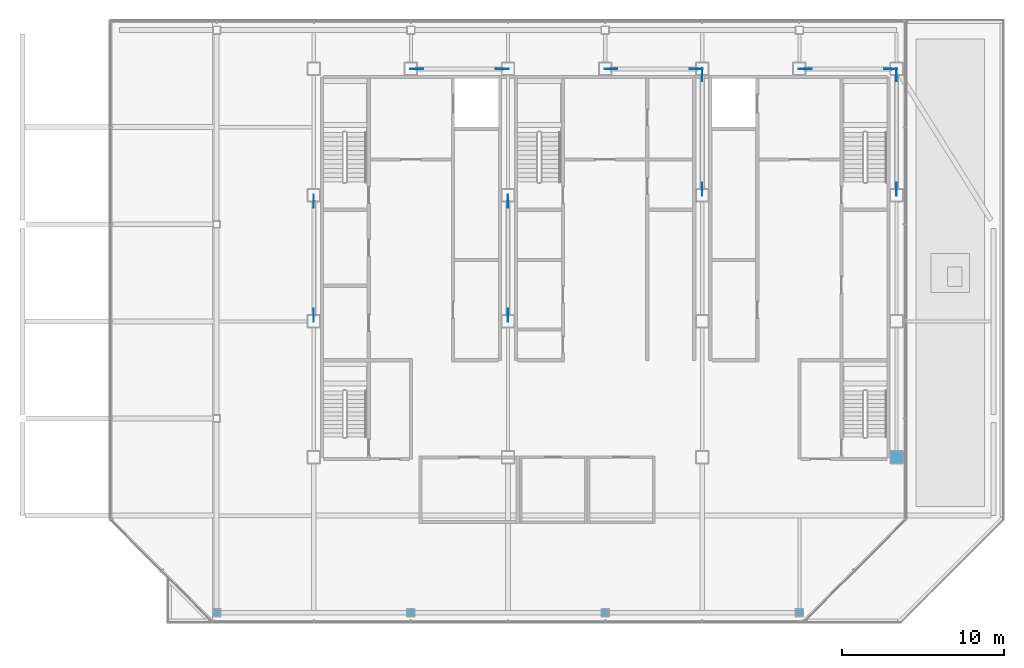
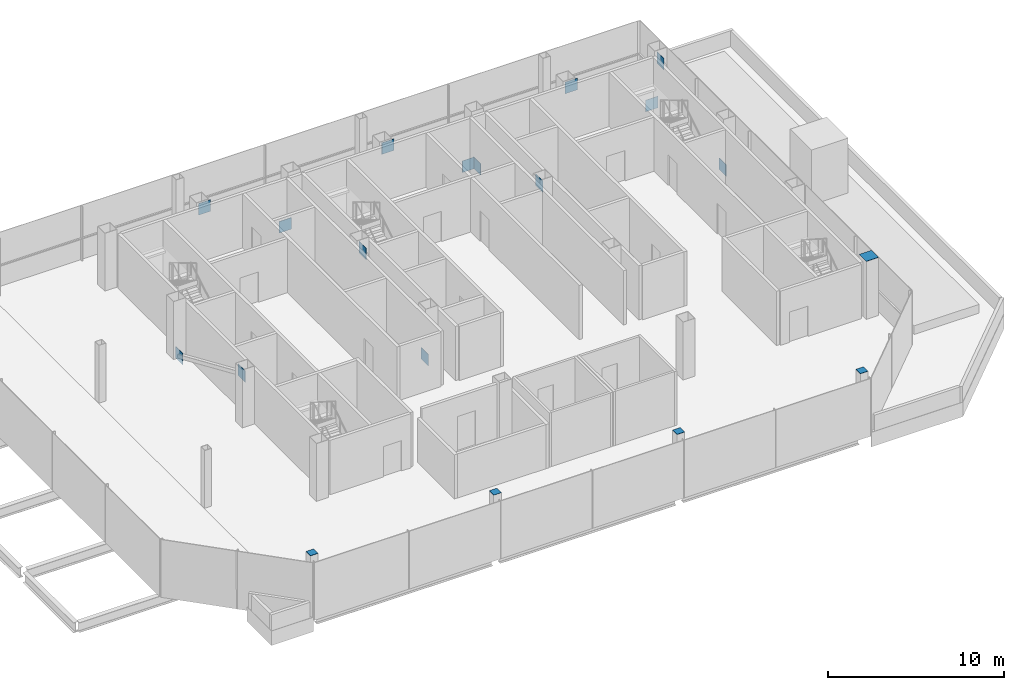
# One storey, part 15 of 17: 19 discrete accessories.
"""IFC4 building model written with IfcOpenShell, lengths in metres."""

import ifcopenshell
import ifcopenshell.guid

model = None  # the IFC model being written
_history = None  # IfcOwnerHistory: only IFC2X3 demands one
_inside = {}  # id of a spatial element -> (the spatial element, [elements in it])
_under = {}  # id of a project, library or spatial element -> (it, [spatial elements below it])
_declared = {}  # id of a project -> (the project, [libraries it declares])
_typed = {}  # id of a type object -> (the type object, [elements of that type])
_made_of = {}  # id of a material, layer set ... -> (it, [elements and type objects made of it])


def new_model(schema):
    """Start an empty IFC model of exactly this schema.

    Asked for "IFC4X3", IfcOpenShell would pick the latest addendum, in which some entities
    have other attributes; the version numbers below select the first issue.
    IFC2X3 requires an IfcOwnerHistory on every rooted entity: one is made here for all.
    """
    global model, _history
    if schema == "IFC4X3":
        model = ifcopenshell.file(schema_version=(4, 3, 0, 0))
    else:
        model = ifcopenshell.file(schema=schema)
    _inside.clear()
    _under.clear()
    _declared.clear()
    _typed.clear()
    _made_of.clear()
    _history = None
    if model.schema == "IFC2X3":
        org = make("IfcOrganization", Name="unknown")
        user = make(
            "IfcPersonAndOrganization",
            ThePerson=make("IfcPerson", FamilyName="unknown"),
            TheOrganization=org,
        )
        app = make(
            "IfcApplication",
            ApplicationDeveloper=org,
            Version="unknown",
            ApplicationFullName="unknown",
            ApplicationIdentifier="unknown",
        )
        _history = make(
            "IfcOwnerHistory",
            OwningUser=user,
            OwningApplication=app,
            ChangeAction="ADDED",
            CreationDate=0,
        )
    return model


def make(cls, **values):
    """One entity of the class cls with the attributes given. An attribute that is None is left unset."""
    return model.create_entity(
        cls, **{name: value for name, value in values.items() if value is not None}
    )


def rooted(cls, **values):
    """An entity with a GlobalId (a new one), such as an element, a storey or a relation."""
    return make(cls, GlobalId=ifcopenshell.guid.new(), OwnerHistory=_history, **values)


def si_unit(unit_type, name, prefix=None):
    """IfcSIUnit, for example si_unit("LENGTHUNIT", "METRE", prefix="MILLI")."""
    return make("IfcSIUnit", UnitType=unit_type, Prefix=prefix, Name=name)


def assignment(units):
    """IfcUnitAssignment: the units of a project."""
    return None if units is None else make("IfcUnitAssignment", Units=units)


def point(xyz):
    """IfcCartesianPoint."""
    return None if xyz is None else make("IfcCartesianPoint", Coordinates=xyz)


def direction(xyz):
    """IfcDirection."""
    return None if xyz is None else make("IfcDirection", DirectionRatios=xyz)


def frame(location, z_axis=None, x_axis=None):
    """IfcAxis2Placement3D, a coordinate frame: its origin and axes. An axis left out is left unset."""
    return make(
        "IfcAxis2Placement3D",
        Location=point(location),
        Axis=direction(z_axis),
        RefDirection=direction(x_axis),
    )


def frame_2d(location, x_axis=None):
    """IfcAxis2Placement2D, a coordinate frame in the plane: its origin and x axis."""
    return make(
        "IfcAxis2Placement2D", Location=point(location), RefDirection=direction(x_axis)
    )


def origin():
    """The frame at (0, 0, 0) with its axes left unset."""
    return frame((0.0, 0.0, 0.0))


def origin_2d():
    """The frame at (0, 0) in the plane with its x axis left unset."""
    return frame_2d((0.0, 0.0))


def place(relative_to, where):
    """IfcLocalPlacement: puts the frame where relative to a parent placement (None: the world)."""
    return make(
        "IfcLocalPlacement", PlacementRelTo=relative_to, RelativePlacement=where
    )


def context(
    kind, dimensions, precision=None, world=None, true_north=None, identifier=None
):
    """IfcGeometricRepresentationContext, for example the 3D "Model" context."""
    return make(
        "IfcGeometricRepresentationContext",
        ContextIdentifier=identifier,
        ContextType=kind,
        CoordinateSpaceDimension=dimensions,
        Precision=precision,
        WorldCoordinateSystem=world,
        TrueNorth=true_north,
    )


def subcontext(parent, identifier, kind, view, scale=None):
    """IfcGeometricRepresentationSubContext, for example "Body" below "Model"."""
    return make(
        "IfcGeometricRepresentationSubContext",
        ContextIdentifier=identifier,
        ContextType=kind,
        ParentContext=parent,
        TargetScale=scale,
        TargetView=view,
    )


def project(units=None, contexts=None):
    """IfcProject with its units and contexts."""
    return rooted(
        "IfcProject",
        Name="project",
        RepresentationContexts=contexts,
        UnitsInContext=assignment(units),
    )


def spatial(cls, under=None, at=None, **own):
    """A site, building, storey or space (cls), placed at a placement, below another one or the project."""
    s = rooted(cls, ObjectPlacement=at, **own)
    if under is not None:
        _under.setdefault(under.id(), (under, []))[1].append(s)
    return s


def profile(cls, at=None, kind="AREA", **sizes):
    """A parametric profile (cls). Its sizes go by their IFC names, for example OverallWidth=200.0."""
    return make(cls, ProfileType=kind, Position=at, **sizes)


def rectangle(**sizes):
    """IfcRectangleProfileDef."""
    return profile("IfcRectangleProfileDef", **sizes)


def extrude(swept, where, along, depth):
    """IfcExtrudedAreaSolid: the profile swept, set in the frame where, extruded along a direction by depth."""
    return make(
        "IfcExtrudedAreaSolid",
        SweptArea=swept,
        Position=where,
        ExtrudedDirection=direction(along),
        Depth=depth,
    )


def shape(context_of_items, identifier, shape_type, items):
    """IfcShapeRepresentation: the items that make up one representation, for example the "Body"."""
    return make(
        "IfcShapeRepresentation",
        ContextOfItems=context_of_items,
        RepresentationIdentifier=identifier,
        RepresentationType=shape_type,
        Items=items,
    )


def material(Name=None, Category=None):
    """IfcMaterial."""
    return make("IfcMaterial", Name=Name, Category=Category)


def layer(
    of_material, thickness, ventilated=None, Name=None, Category=None, Priority=None
):
    """IfcMaterialLayer: one layer of a wall or slab, of a material (None: an air gap)."""
    return make(
        "IfcMaterialLayer",
        Material=of_material,
        LayerThickness=thickness,
        IsVentilated=ventilated,
        Name=Name,
        Category=Category,
        Priority=Priority,
    )


def layer_set(layers, Name=None):
    """IfcMaterialLayerSet."""
    return make("IfcMaterialLayerSet", MaterialLayers=layers, LayerSetName=Name)


def made_of(thing, what):
    """Note that an element or type object is made of a material, layer set ...; save() writes the relation."""
    if what is not None:
        _made_of.setdefault(what.id(), (what, []))[1].append(thing)
    return thing


def type_object(cls, material=None, **own):
    """A type object (cls), such as IfcWallType, which elements share."""
    return made_of(rooted(cls, **own), material)


def element(
    cls,
    number,
    at=None,
    inside=None,
    cuts=None,
    type_object=None,
    material=None,
    context=None,
    identifier="Body",
    shape_type=None,
    held_by="IfcProductDefinitionShape",
    body=None,
    shapes=None,
    **own,
):
    """One element of the class cls, such as IfcWall. Its Tag is "e" and its number.

    at: its placement. inside: the storey or other place that contains it. cuts: it is an
    opening in that element (IfcRelVoidsElement). A single representation is given by context,
    identifier, shape_type and body (its items); several are given by shapes. held_by: the class
    of the entity that holds the representations. save() writes the other relations.
    """
    e = rooted(cls, Tag="e%d" % number, ObjectPlacement=at, **own)
    if body is not None:
        shapes = [shape(context, identifier, shape_type, body)]
    if shapes is not None:
        e.Representation = make(held_by, Representations=shapes)
    if inside is not None:
        _inside.setdefault(inside.id(), (inside, []))[1].append(e)
    if cuts is not None:
        rooted(
            "IfcRelVoidsElement", RelatingBuildingElement=cuts, RelatedOpeningElement=e
        )
    if type_object is not None:
        _typed.setdefault(type_object.id(), (type_object, []))[1].append(e)
    return made_of(e, material)


def aggregate(whole, parts):
    """IfcRelAggregates: a whole, such as a stair, and the parts it consists of."""
    return rooted("IfcRelAggregates", RelatingObject=whole, RelatedObjects=parts)


def save(model, path):
    """Write the relations noted so far, then the file.

    IfcRelAggregates (storeys below a building ...), IfcRelContainedInSpatialStructure (elements
    in a storey), IfcRelDefinesByType, IfcRelAssociatesMaterial and IfcRelDeclares: one each for
    every whole, place, type object, material and project.
    """
    for whole, parts in _under.values():
        aggregate(whole, parts)
    for where, things in _inside.values():
        rooted(
            "IfcRelContainedInSpatialStructure",
            RelatedElements=things,
            RelatingStructure=where,
        )
    for kind, things in _typed.values():
        rooted("IfcRelDefinesByType", RelatedObjects=things, RelatingType=kind)
    for what, things in _made_of.values():
        rooted("IfcRelAssociatesMaterial", RelatedObjects=things, RelatingMaterial=what)
    for by, libraries in _declared.values():
        rooted("IfcRelDeclares", RelatingContext=by, RelatedDefinitions=libraries)
    model.write(path)


model = new_model("IFC4")

# Units and contexts
model_context = context("Model", 3, precision=1e-05, world=origin(), true_north=direction((0.0, 1.0)))
body_context = subcontext(model_context, "Body", "Model", "MODEL_VIEW")
ifc_project = project(units=[si_unit("LENGTHUNIT", "METRE"), si_unit("AREAUNIT", "SQUARE_METRE"), si_unit("VOLUMEUNIT", "CUBIC_METRE"), si_unit("PLANEANGLEUNIT", "RADIAN"), si_unit("MASSUNIT", "GRAM", prefix="KILO")], contexts=[model_context])

# Site, building, storey
site_placement = place(None, origin())
site = spatial("IfcSite", under=ifc_project, at=site_placement, CompositionType="ELEMENT")
building_placement = place(site_placement, origin())
building = spatial("IfcBuilding", under=site, at=building_placement, Name="Sorahane Residences", CompositionType="ELEMENT")
storey_placement = place(building_placement, frame((0.0, 0.0, 341.800048828125)))
storey = spatial("IfcBuildingStorey", under=building, at=storey_placement, Name="L81", CompositionType="ELEMENT", Elevation=341.800048828125)

# Discrete accessories
ifc_material_1 = material(Name="Steel Q355B", Category="steel")
ifc_layer_1 = layer(ifc_material_1, 0.02001953125)
ifc_layer_set_1 = layer_set([ifc_layer_1], Name="End plate Steel Q355B 500x500x20")
discrete_accessory_type_1 = type_object("IfcDiscreteAccessoryType", Name="End plate Steel Q355B 500x500x20", PredefinedType="USERDEFINED", material=ifc_layer_set_1)
for number, where, z_axis, x_axis, name in (
    (1, (0.0, 12.0, 4.0), (0.0, 0.0, 1.0), (1.0, 0.0, 0.0), "End plate L81"),
    (2, (12.0, 12.0, 4.0), (0.0, 0.0, 1.0), (1.0, 0.0, 0.0), "End plate L81"),
    (3, (24.0, 12.0, 4.0), (0.0, 0.0, 1.0), (1.0, 0.0, 0.0), "End plate L81"),
    (4, (36.0, 12.0, 4.0), (0.0, 0.0, 1.0), (1.0, 0.0, 0.0), "End plate L81"),
):
    element("IfcDiscreteAccessory", number, at=place(storey_placement, frame(where, z_axis=z_axis, x_axis=x_axis)), inside=storey, type_object=discrete_accessory_type_1, Name=name, ObjectType="END PLATE", PredefinedType="USERDEFINED", context=body_context, shape_type="SweptSolid", body=[
        extrude(rectangle(XDim=0.5, YDim=0.5, at=origin_2d()), origin(), (0.0, 0.0, 1.0), 0.02001953125),
    ])
ifc_material_2 = material(Name="Steel Q355B", Category="steel")
ifc_layer_2 = layer(ifc_material_2, 0.02001953125)
ifc_layer_set_2 = layer_set([ifc_layer_2], Name="End plate Steel Q355B 800x800x20")
discrete_accessory_type_2 = type_object("IfcDiscreteAccessoryType", Name="End plate Steel Q355B 800x800x20", PredefinedType="USERDEFINED", material=ifc_layer_set_2)
discrete_accessory_placement = place(storey_placement, frame((42.0, 21.60009765625, 4.0), z_axis=(0.0, 0.0, 1.0), x_axis=(1.0, 0.0, 0.0)))
element("IfcDiscreteAccessory", 5, at=discrete_accessory_placement, inside=storey, type_object=discrete_accessory_type_2, Name="End plate L81", ObjectType="END PLATE", PredefinedType="USERDEFINED", context=body_context, shape_type="SweptSolid", body=[
    extrude(rectangle(XDim=0.800048828125, YDim=0.800048828125, at=origin_2d()), origin(), (0.0, 0.0, 1.0), 0.02001953125),
])
ifc_material_3 = material(Name="Steel Q355B", Category="steel")
ifc_layer_3 = layer(ifc_material_3, 0.02490234375)
ifc_layer_set_3 = layer_set([ifc_layer_3], Name="Node plate Steel Q355B 25")
discrete_accessory_type_3 = type_object("IfcDiscreteAccessoryType", Name="Node plate Steel Q355B 25", PredefinedType="BRACKET", material=ifc_layer_set_3)
for number, where, z_axis, x_axis, name in (
    (6, (6.0, 37.429931640625, -0.2880859375), (0.0, 0.0, 1.0), (0.0, 1.0, 0.0), "Node plate L81 br"),
    (7, (6.0, 30.3701171875, 2.7880859375), (0.0, 0.0, 1.0), (0.0, 1.0, 0.0), "Node plate L81 br"),
    (8, (18.0, 30.3701171875, -0.2880859375), (0.0, 0.0, 1.0), (0.0, 1.0, 0.0), "Node plate L81 br"),
    (9, (18.0, 37.429931640625, 2.7880859375), (0.0, 0.0, 1.0), (0.0, 1.0, 0.0), "Node plate L81 br"),
    (10, (30.0, 45.22998046875, -0.2880859375), (0.0, 0.0, 1.0), (0.0, 1.0, 0.0), "Node plate L81 br"),
    (11, (30.0, 38.169921875, 2.7880859375), (0.0, 0.0, 1.0), (0.0, 1.0, 0.0), "Node plate L81 br"),
    (12, (42.0, 38.169921875, -0.2880859375), (0.0, 0.0, 1.0), (0.0, 1.0, 0.0), "Node plate L81 br"),
    (13, (42.0, 45.22998046875, 2.7880859375), (0.0, 0.0, 1.0), (0.0, 1.0, 0.0), "Node plate L81 br"),
    (14, (17.637939453125, 45.60009765625, -0.29736328125), (0.0, 0.0, 1.0), (1.0, 0.0, 0.0), "Node plate L81 br"),
    (15, (29.637939453125, 45.60009765625, -0.29736328125), (0.0, 0.0, 1.0), (1.0, 0.0, 0.0), "Node plate L81 br"),
    (16, (41.637939453125, 45.60009765625, -0.29736328125), (0.0, 0.0, 1.0), (1.0, 0.0, 0.0), "Node plate L81 br"),
    (17, (12.362060546875, 45.60009765625, 2.79736328125), (0.0, 0.0, 1.0), (1.0, 0.0, 0.0), "Node plate L81 br"),
    (18, (24.362060546875, 45.60009765625, 2.79736328125), (0.0, 0.0, 1.0), (1.0, 0.0, 0.0), "Node plate L81 br"),
    (19, (36.362060546875, 45.60009765625, 2.79736328125), (0.0, 0.0, 1.0), (1.0, 0.0, 0.0), "Node plate L81 br"),
):
    element("IfcDiscreteAccessory", number, at=place(storey_placement, frame(where, z_axis=z_axis, x_axis=x_axis)), inside=storey, type_object=discrete_accessory_type_3, Name=name, PredefinedType="BRACKET", context=body_context, shape_type="SweptSolid", body=[
        extrude(rectangle(XDim=0.800048828125, YDim=0.02490234375, at=origin_2d()), origin(), (0.0, 0.0, 1.0), 0.800048828125),
    ])

save(model, "model.ifc")
